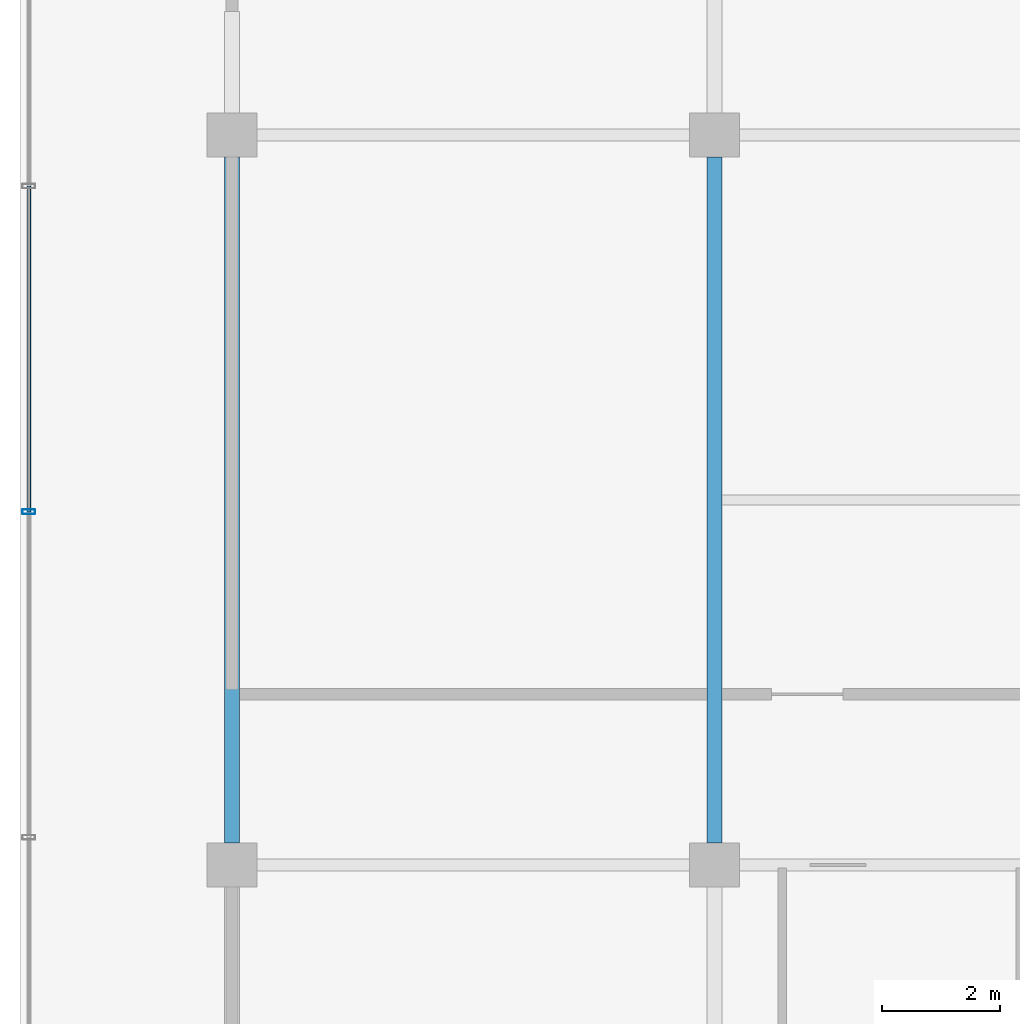
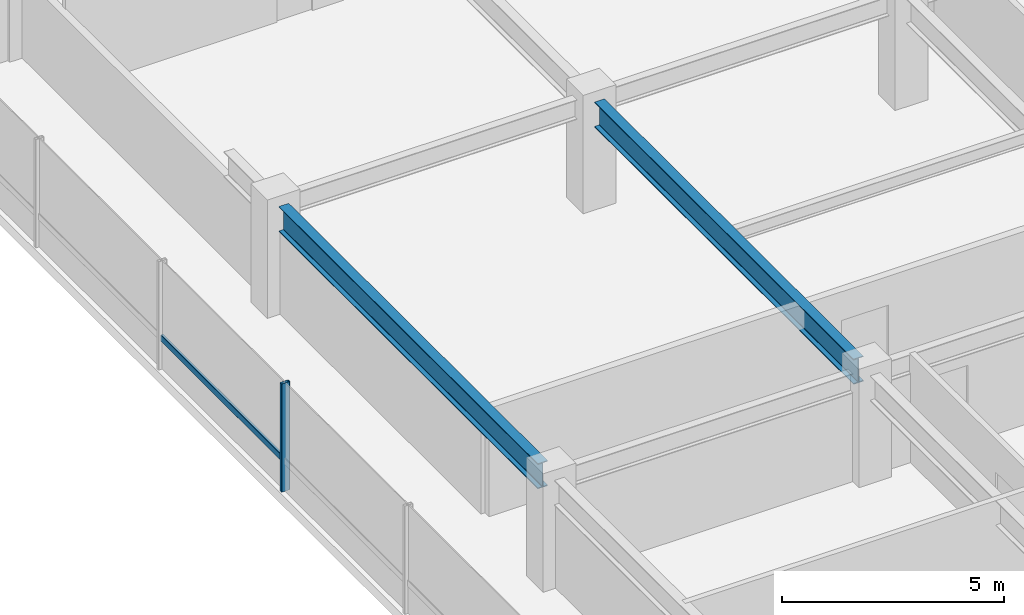
# One storey, part 6 of 32: 2 beams, 2 members, 1 element without a shape of its own.
"""IFC4 building model written with IfcOpenShell, lengths in metres."""

from ifc_helpers import new_model, si_unit, direction, frame, origin, origin_2d, place, context, subcontext, project, spatial, hollow_rectangle, i_section, extrude, material, layer, layer_set, material_profile, profile_set, type_object, element, aggregate, save


model = new_model("IFC4")

# Units and contexts
model_context = context("Model", 3, precision=1e-05, world=origin(), true_north=direction((0.0, 1.0)))
body_context = subcontext(model_context, "Body", "Model", "MODEL_VIEW")
ifc_project = project(units=[si_unit("LENGTHUNIT", "METRE"), si_unit("AREAUNIT", "SQUARE_METRE"), si_unit("VOLUMEUNIT", "CUBIC_METRE"), si_unit("PLANEANGLEUNIT", "RADIAN"), si_unit("MASSUNIT", "GRAM", prefix="KILO")], contexts=[model_context])

# Site, building, storey
site_placement = place(None, origin())
site = spatial("IfcSite", under=ifc_project, at=site_placement, CompositionType="ELEMENT")
building_placement = place(site_placement, origin())
building = spatial("IfcBuilding", under=site, at=building_placement, Name="Korimba Cascade Residences", CompositionType="ELEMENT")
storey_placement = place(building_placement, frame((0.0, 0.0, 178.35009765625)))
storey = spatial("IfcBuildingStorey", under=building, at=storey_placement, Name="L51", CompositionType="ELEMENT", Elevation=178.35009765625)

# Beams
ifc_material_1 = material(Name="Steel S355", Category="steel")
ifc_material_profile_1 = material_profile(ifc_material_1, i_section(OverallWidth=0.255859375, OverallDepth=0.69287109375, WebThickness=0.014404296875, FlangeThickness=0.023681640625, FilletRadius=0.01513671875, at=origin_2d()), Name="Steel S355")
ifc_profile_set_1 = profile_set([ifc_material_profile_1], Name="Steel S355")
beam_type = type_object("IfcBeamType", Name="BM-STL-UB686", PredefinedType="BEAM", material=ifc_profile_set_1)
for number, where, z_axis, x_axis, name in (
    (1, (59.800048828125, 67.574951171875, 2.623291015625), (0.0, 1.0, 0.0), (-1.0, 0.0, 0.0), "L51 T1 N-S Girder X1 Seg 2"),
    (2, (68.0, 67.574951171875, 2.623291015625), (0.0, 1.0, 0.0), (-1.0, 0.0, 0.0), "L51 T1 N-S Girder X2 Seg 2"),
):
    element("IfcBeam", number, at=place(storey_placement, frame(where, z_axis=z_axis, x_axis=x_axis)), inside=storey, type_object=beam_type, Name=name, PredefinedType="BEAM", context=body_context, shape_type="SweptSolid", body=[
        extrude(i_section(OverallWidth=0.255859375, OverallDepth=0.69287109375, WebThickness=0.014404296875, FlangeThickness=0.023681640625, FilletRadius=0.01513671875, at=origin_2d()), origin(), (0.0, 0.0, 1.0), 11.650146484375),
    ])

# Curtain wall, members
ifc_material_2 = material(Name="Anodised Aluminium Curtain Wall Framing", Category="aluminium")
ifc_layer = layer(ifc_material_2, 0.179931640625)
ifc_layer_set = layer_set([ifc_layer], Name="Anodised Aluminium Curtain Wall Framing")
curtain_wall_type = type_object("IfcCurtainWallType", Name="CW-SKY-SYS2", PredefinedType="NOTDEFINED", material=ifc_layer_set)
curtain_wall_placement = place(storey_placement, origin())
curtain_wall = element("IfcCurtainWall", 3, at=curtain_wall_placement, inside=storey, type_object=curtain_wall_type, Name="L51 Curtain Wall CW-L51-T1-E9", PredefinedType="NOTDEFINED")
ifc_material_3 = material(Name="Anodised Aluminium Mullion", Category="aluminium")
ifc_material_profile_2 = material_profile(ifc_material_3, hollow_rectangle(XDim=0.080078125, YDim=0.219970703125, WallThickness=0.00634765625, InnerFilletRadius=0.00634765625, OuterFilletRadius=0.0126953125, at=origin_2d()), Name="Anodised Aluminium Mullion")
ifc_profile_set_2 = profile_set([ifc_material_profile_2], Name="Anodised Aluminium Mullion")
member_type_1 = type_object("IfcMemberType", Name="CWM-MUL-220", PredefinedType="MULLION", material=ifc_profile_set_2)
member_1_placement = place(storey_placement, frame((56.35009765625, 73.199951171875, 0.0), z_axis=(0.0, 0.0, 1.0), x_axis=(0.0, -1.0, 0.0)))
member_1 = element("IfcMember", 4, at=member_1_placement, type_object=member_type_1, Name="CW-L51-T1-E9 Mullion 4", PredefinedType="MULLION", context=body_context, shape_type="SweptSolid", body=[
    extrude(hollow_rectangle(XDim=0.080078125, YDim=0.219970703125, WallThickness=0.00634765625, InnerFilletRadius=0.00634765625, OuterFilletRadius=0.0126953125, at=origin_2d()), origin(), (0.0, 0.0, 1.0), 2.969970703125),
])
ifc_material_4 = material(Name="Anodised Aluminium Transom", Category="aluminium")
ifc_material_profile_3 = material_profile(ifc_material_4, hollow_rectangle(XDim=0.070068359375, YDim=0.179931640625, WallThickness=0.0048828125, InnerFilletRadius=0.0048828125, OuterFilletRadius=0.010009765625, at=origin_2d()), Name="Anodised Aluminium Transom")
ifc_profile_set_3 = profile_set([ifc_material_profile_3], Name="Anodised Aluminium Transom")
member_type_2 = type_object("IfcMemberType", Name="CWM-TRN-150", PredefinedType="USERDEFINED", material=ifc_profile_set_3)
member_2_placement = place(storey_placement, frame((56.35009765625, 78.7333984375, 0.83154296875), z_axis=(0.0, -1.0, 0.0), x_axis=(1.0, 0.0, 0.0)))
member_2 = element("IfcMember", 5, at=member_2_placement, type_object=member_type_2, Name="CW-L51-T1-E9 Transom 3", ObjectType="TRANSOM", PredefinedType="USERDEFINED", context=body_context, shape_type="SweptSolid", body=[
    extrude(hollow_rectangle(XDim=0.070068359375, YDim=0.179931640625, WallThickness=0.0048828125, InnerFilletRadius=0.0048828125, OuterFilletRadius=0.010009765625, at=origin_2d()), origin(), (0.0, 0.0, 1.0), 5.533447265625),
])
aggregate(curtain_wall, [member_1, member_2])

save(model, "model.ifc")
